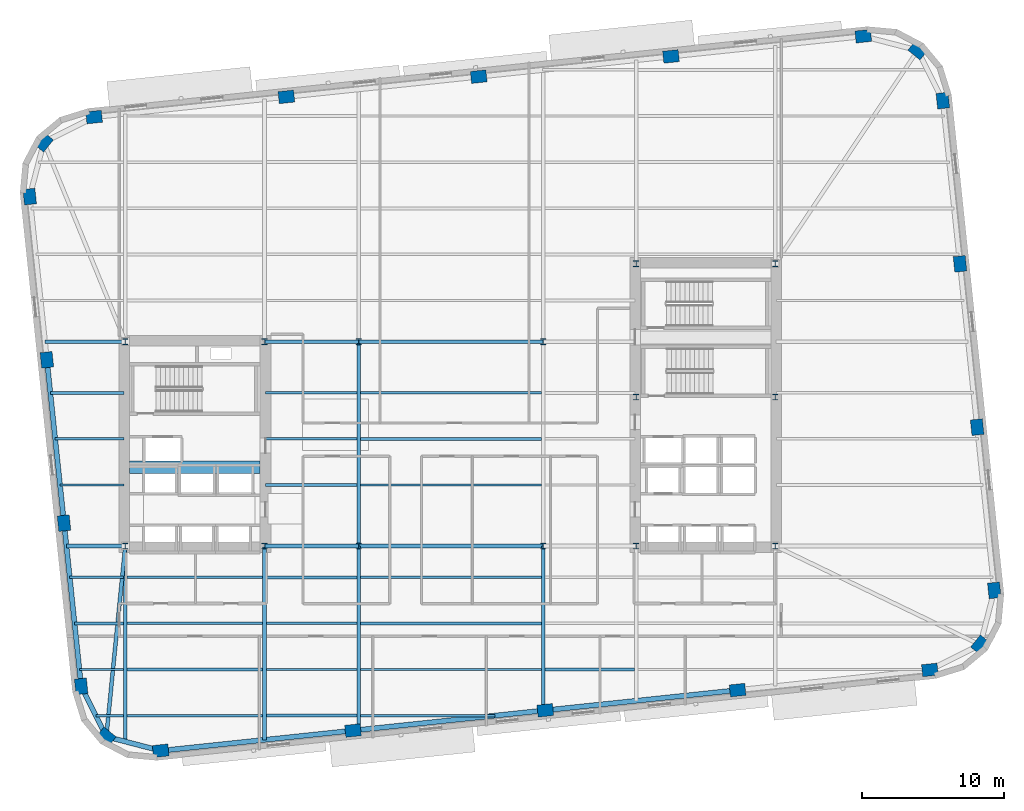
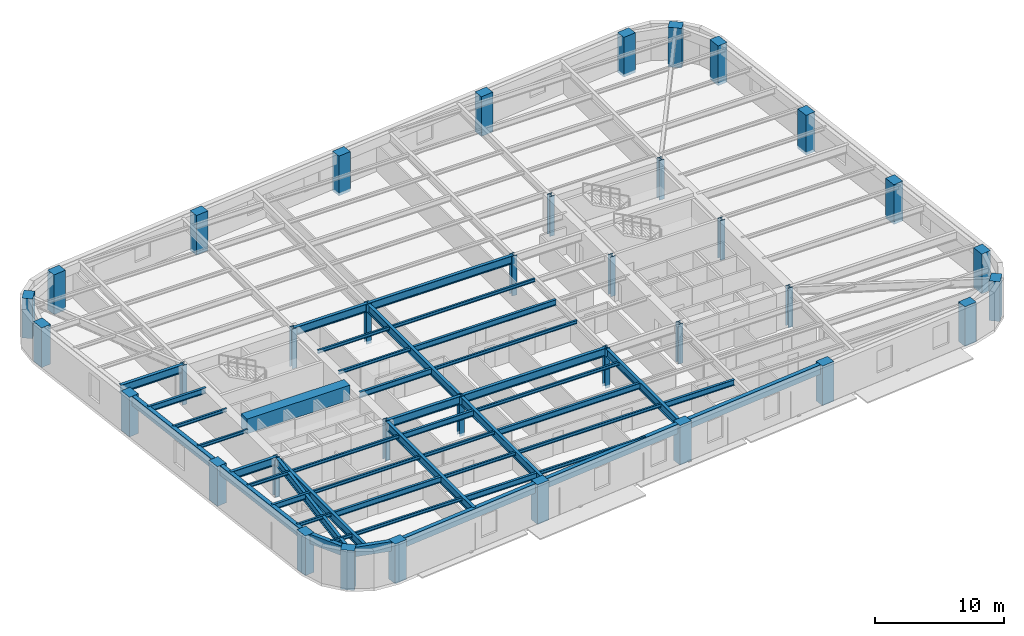
# One storey, part 1 of 11: 46 beams, 36 columns.
"""IFC4 building model written with IfcOpenShell, lengths in metres."""

from ifc_helpers import new_model, si_unit, direction, frame, origin, origin_2d, place, context, subcontext, project, spatial, rectangle, hollow_rectangle, i_section, extrude, material, material_profile, profile_set, type_object, element, save


model = new_model("IFC4")

# Units and contexts
model_context = context("Model", 3, precision=1e-05, world=origin(), true_north=direction((0.0, 1.0)))
body_context = subcontext(model_context, "Body", "Model", "MODEL_VIEW")
ifc_project = project(units=[si_unit("LENGTHUNIT", "METRE"), si_unit("AREAUNIT", "SQUARE_METRE"), si_unit("VOLUMEUNIT", "CUBIC_METRE"), si_unit("PLANEANGLEUNIT", "RADIAN"), si_unit("MASSUNIT", "GRAM", prefix="KILO")], contexts=[model_context])

# Site, building, storey
site_placement = place(None, origin())
site = spatial("IfcSite", under=ifc_project, at=site_placement, CompositionType="ELEMENT")
building_placement = place(site_placement, origin())
building = spatial("IfcBuilding", under=site, at=building_placement, Name="Kolvaren Arena Tower", CompositionType="ELEMENT")
storey_placement = place(building_placement, frame((0.0, 0.0, 103.449951171875)))
storey = spatial("IfcBuildingStorey", under=building, at=storey_placement, Name="L23", CompositionType="ELEMENT", Elevation=103.449951171875)

# Columns
ifc_material_1 = material(Name="Precast concrete C70/85", Category="concrete")
ifc_material_profile_1 = material_profile(ifc_material_1, rectangle(XDim=1.10009765625, YDim=0.85009765625, at=origin_2d()), Name="RC-1100x850")
ifc_profile_set_1 = profile_set([ifc_material_profile_1], Name="Precast concrete C70/85")
column_type_1 = type_object("IfcColumnType", Name="EXCOL-Z2", PredefinedType="COLUMN", material=ifc_profile_set_1)
for number, where, z_axis, x_axis, name in (
    (1, (17.0458984375, 5.024658203125, -0.27001953125), (0.0, 0.0, 1.0), (0.994521895368, 0.104528463268, 0.0), "Exoskeleton Perimeter Column 01 (L23)"),
    (2, (30.59619140625, 6.44873046875, -0.27001953125), (0.0, 0.0, 1.0), (0.994521895368, 0.104528463268, 0.0), "Exoskeleton Perimeter Column 02 (L23)"),
    (3, (44.146728515625, 7.873046875, -0.27001953125), (0.0, 0.0, 1.0), (0.994521895368, 0.104528463268, 0.0), "Exoskeleton Perimeter Column 03 (L23)"),
    (4, (57.697021484375, 9.297119140625, -0.27001953125), (0.0, 0.0, 1.0), (0.994521895368, 0.104528463268, 0.0), "Exoskeleton Perimeter Column 04 (L23)"),
    (5, (71.247314453125, 10.721435546875, -0.27001953125), (0.0, 0.0, 1.0), (0.994521895368, 0.104528463268, 0.0), "Exoskeleton Perimeter Column 05 (L23)"),
    (6, (74.790283203125, 12.49267578125, -0.27001953125), (0.0, 0.0, 1.0), (0.62932039105, 0.777145961457, 0.0), "Exoskeleton Perimeter Column 06 (L23)"),
    (7, (75.786376953125, 16.326416015625, -0.27001953125), (0.0, 0.0, 1.0), (-0.104528463268, 0.994521895368, 0.0), "Exoskeleton Perimeter Column 07 (L23)"),
    (8, (74.577392578125, 27.829833984375, -0.27001953125), (0.0, 0.0, 1.0), (-0.104528463268, 0.994521895368, 0.0), "Exoskeleton Perimeter Column 08 (L23)"),
    (9, (73.368408203125, 39.3330078125, -0.27001953125), (0.0, 0.0, 1.0), (-0.104528463268, 0.994521895368, 0.0), "Exoskeleton Perimeter Column 09 (L23)"),
    (10, (72.1591796875, 50.83642578125, -0.27001953125), (0.0, 0.0, 1.0), (-0.104528463268, 0.994521895368, 0.0), "Exoskeleton Perimeter Column 10 (L23)"),
    (11, (70.387939453125, 54.37939453125, -0.27001953125), (0.0, 0.0, 1.0), (-0.777145961457, 0.62932039105, 0.0), "Exoskeleton Perimeter Column 11 (L23)"),
    (12, (66.55419921875, 55.37548828125, -0.27001953125), (0.0, 0.0, 1.0), (0.994521895368, 0.104528463268, 0.0), "Exoskeleton Perimeter Column 12 (L23)"),
    (13, (53.003662109375, 53.951171875, -0.27001953125), (0.0, 0.0, 1.0), (0.994521895368, 0.104528463268, 0.0), "Exoskeleton Perimeter Column 13 (L23)"),
    (14, (39.453369140625, 52.527099609375, -0.27001953125), (0.0, 0.0, 1.0), (0.994521895368, 0.104528463268, 0.0), "Exoskeleton Perimeter Column 14 (L23)"),
    (15, (25.903076171875, 51.102783203125, -0.27001953125), (0.0, 0.0, 1.0), (0.994521895368, 0.104528463268, 0.0), "Exoskeleton Perimeter Column 15 (L23)"),
    (16, (12.3525390625, 49.6787109375, -0.27001953125), (0.0, 0.0, 1.0), (0.994521895368, 0.104528463268, 0.0), "Exoskeleton Perimeter Column 16 (L23)"),
    (17, (8.8095703125, 47.9072265625, -0.27001953125), (0.0, 0.0, 1.0), (0.62932039105, 0.777145961457, 0.0), "Exoskeleton Perimeter Column 17 (L23)"),
    (18, (7.813720703125, 44.073486328125, -0.27001953125), (0.0, 0.0, 1.0), (-0.104528463268, 0.994521895368, 0.0), "Exoskeleton Perimeter Column 18 (L23)"),
    (19, (9.022705078125, 32.5703125, -0.27001953125), (0.0, 0.0, 1.0), (-0.104528463268, 0.994521895368, 0.0), "Exoskeleton Perimeter Column 19 (L23)"),
    (20, (10.231689453125, 21.06689453125, -0.27001953125), (0.0, 0.0, 1.0), (-0.104528463268, 0.994521895368, 0.0), "Exoskeleton Perimeter Column 20 (L23)"),
    (21, (11.44091796875, 9.5634765625, -0.27001953125), (0.0, 0.0, 1.0), (-0.104528463268, 0.994521895368, 0.0), "Exoskeleton Perimeter Column 21 (L23)"),
    (22, (13.212158203125, 6.0205078125, -0.27001953125), (0.0, 0.0, 1.0), (-0.777145961457, 0.62932039105, 0.0), "Exoskeleton Perimeter Column 22 (L23)"),
):
    element("IfcColumn", number, at=place(storey_placement, frame(where, z_axis=z_axis, x_axis=x_axis)), inside=storey, type_object=column_type_1, Name=name, PredefinedType="COLUMN", context=body_context, shape_type="SweptSolid", body=[
        extrude(rectangle(XDim=1.10009765625, YDim=0.85009765625, at=origin_2d()), origin(), (0.0, 0.0, 1.0), 3.75),
    ])
ifc_material_2 = material(Name="Steel ASTM A913 Grade 65", Category="steel")
ifc_material_profile_2 = material_profile(ifc_material_2, i_section(OverallWidth=0.416015625, OverallDepth=0.446044921875, WebThickness=0.0390625, FlangeThickness=0.062744140625, FilletRadius=0.02001953125, at=origin_2d()), Name="W360x509")
ifc_profile_set_2 = profile_set([ifc_material_profile_2], Name="Steel ASTM A913 Grade 65")
column_type_2 = type_object("IfcColumnType", Name="SCOL-Z2", PredefinedType="COLUMN", material=ifc_profile_set_2)
for number, where, z_axis, x_axis, name in (
    (23, (14.550048828125, 19.449951171875, -0.27001953125), (0.0, 0.0, 1.0), (1.0, 0.0, 0.0), "Core Boundary Column WC-SW (L23)"),
    (24, (24.35009765625, 19.449951171875, -0.27001953125), (0.0, 0.0, 1.0), (1.0, 0.0, 0.0), "Core Boundary Column WC-SE (L23)"),
    (25, (14.550048828125, 33.85009765625, -0.27001953125), (0.0, 0.0, 1.0), (1.0, 0.0, 0.0), "Core Boundary Column WC-NW (L23)"),
    (26, (24.35009765625, 33.85009765625, -0.27001953125), (0.0, 0.0, 1.0), (1.0, 0.0, 0.0), "Core Boundary Column WC-NE (L23)"),
    (27, (50.550048828125, 19.449951171875, -0.27001953125), (0.0, 0.0, 1.0), (1.0, 0.0, 0.0), "Core Boundary Column EC-SW (L23)"),
    (28, (60.35009765625, 19.449951171875, -0.27001953125), (0.0, 0.0, 1.0), (1.0, 0.0, 0.0), "Core Boundary Column EC-SE (L23)"),
    (29, (50.550048828125, 29.949951171875, -0.27001953125), (0.0, 0.0, 1.0), (1.0, 0.0, 0.0), "Core Boundary Column EC-MW (L23)"),
    (30, (60.35009765625, 29.949951171875, -0.27001953125), (0.0, 0.0, 1.0), (1.0, 0.0, 0.0), "Core Boundary Column EC-ME (L23)"),
    (31, (50.550048828125, 39.35009765625, -0.27001953125), (0.0, 0.0, 1.0), (1.0, 0.0, 0.0), "Core Boundary Column EC-NW (L23)"),
    (32, (60.35009765625, 39.35009765625, -0.27001953125), (0.0, 0.0, 1.0), (1.0, 0.0, 0.0), "Core Boundary Column EC-NE (L23)"),
    (33, (31.0, 19.449951171875, -0.27001953125), (0.0, 0.0, 1.0), (1.0, 0.0, 0.0), "Interior Gravity Column TC-SW (L23)"),
    (34, (44.0, 19.449951171875, -0.27001953125), (0.0, 0.0, 1.0), (1.0, 0.0, 0.0), "Interior Gravity Column TC-SE (L23)"),
    (35, (31.0, 33.85009765625, -0.27001953125), (0.0, 0.0, 1.0), (1.0, 0.0, 0.0), "Interior Gravity Column TC-NW (L23)"),
    (36, (44.0, 33.85009765625, -0.27001953125), (0.0, 0.0, 1.0), (1.0, 0.0, 0.0), "Interior Gravity Column TC-NE (L23)"),
):
    element("IfcColumn", number, at=place(storey_placement, frame(where, z_axis=z_axis, x_axis=x_axis)), inside=storey, type_object=column_type_2, Name=name, PredefinedType="COLUMN", context=body_context, shape_type="SweptSolid", body=[
        extrude(i_section(OverallWidth=0.416015625, OverallDepth=0.446044921875, WebThickness=0.0390625, FlangeThickness=0.062744140625, FilletRadius=0.02001953125, at=origin_2d()), origin(), (0.0, 0.0, 1.0), 3.75),
    ])

# Beams
ifc_material_3 = material(Name="Steel CSA G40.21 350W", Category="steel")
ifc_material_profile_3 = material_profile(ifc_material_3, i_section(OverallWidth=0.2119140625, OverallDepth=0.54296875, WebThickness=0.01318359375, FlangeThickness=0.0244140625, FilletRadius=0.013916015625, at=origin_2d()), Name="W530x150")
ifc_profile_set_3 = profile_set([ifc_material_profile_3], Name="Steel CSA G40.21 350W")
beam_type_1 = type_object("IfcBeamType", Name="BEAM-F1", PredefinedType="BEAM", material=ifc_profile_set_3)
beam_1_placement = place(storey_placement, frame((24.485107421875, 7.5, 3.20849609375), z_axis=(1.0, 0.0, 0.0), x_axis=(0.0, 1.0, 0.0)))
element("IfcBeam", 37, at=beam_1_placement, inside=storey, type_object=beam_type_1, Name="Composite Floor Beam (L23)", PredefinedType="BEAM", context=body_context, shape_type="SweptSolid", body=[
    extrude(i_section(OverallWidth=0.2119140625, OverallDepth=0.54296875, WebThickness=0.01318359375, FlangeThickness=0.0244140625, FilletRadius=0.013916015625, at=origin_2d()), origin(), (0.0, 0.0, 1.0), 6.3798828125),
])
beam_2_placement = place(storey_placement, frame((14.68505859375, 10.75, 3.20849609375), z_axis=(1.0, 0.0, 0.0), x_axis=(0.0, 1.0, 0.0)))
element("IfcBeam", 38, at=beam_2_placement, inside=storey, type_object=beam_type_1, Name="Composite Floor Beam (L23)", PredefinedType="BEAM", context=body_context, shape_type="SweptSolid", body=[
    extrude(i_section(OverallWidth=0.2119140625, OverallDepth=0.54296875, WebThickness=0.01318359375, FlangeThickness=0.0244140625, FilletRadius=0.013916015625, at=origin_2d()), origin(), (0.0, 0.0, 1.0), 9.530029296875),
])
beam_3_placement = place(storey_placement, frame((44.135009765625, 10.75, 3.20849609375), z_axis=(1.0, 0.0, 0.0), x_axis=(0.0, 1.0, 0.0)))
element("IfcBeam", 39, at=beam_3_placement, inside=storey, type_object=beam_type_1, Name="Composite Floor Beam (L23)", PredefinedType="BEAM", context=body_context, shape_type="SweptSolid", body=[
    extrude(i_section(OverallWidth=0.2119140625, OverallDepth=0.54296875, WebThickness=0.01318359375, FlangeThickness=0.0244140625, FilletRadius=0.013916015625, at=origin_2d()), origin(), (0.0, 0.0, 1.0), 6.280029296875),
])
beam_4_placement = place(storey_placement, frame((10.974609375, 14.0, 3.20849609375), z_axis=(1.0, 0.0, 0.0), x_axis=(0.0, 1.0, 0.0)))
element("IfcBeam", 40, at=beam_4_placement, inside=storey, type_object=beam_type_1, Name="Composite Floor Beam (L23)", PredefinedType="BEAM", context=body_context, shape_type="SweptSolid", body=[
    extrude(i_section(OverallWidth=0.2119140625, OverallDepth=0.54296875, WebThickness=0.01318359375, FlangeThickness=0.0244140625, FilletRadius=0.013916015625, at=origin_2d()), origin(), (0.0, 0.0, 1.0), 3.4404296875),
])
beam_5_placement = place(storey_placement, frame((31.135009765625, 14.0, 3.20849609375), z_axis=(1.0, 0.0, 0.0), x_axis=(0.0, 1.0, 0.0)))
element("IfcBeam", 41, at=beam_5_placement, inside=storey, type_object=beam_type_1, Name="Composite Floor Beam (L23)", PredefinedType="BEAM", context=body_context, shape_type="SweptSolid", body=[
    extrude(i_section(OverallWidth=0.2119140625, OverallDepth=0.54296875, WebThickness=0.01318359375, FlangeThickness=0.0244140625, FilletRadius=0.013916015625, at=origin_2d()), origin(), (0.0, 0.0, 1.0), 12.72998046875),
])
beam_6_placement = place(storey_placement, frame((24.485107421875, 17.25, 3.20849609375), z_axis=(1.0, 0.0, 0.0), x_axis=(0.0, 1.0, 0.0)))
element("IfcBeam", 42, at=beam_6_placement, inside=storey, type_object=beam_type_1, Name="Composite Floor Beam (L23)", PredefinedType="BEAM", context=body_context, shape_type="SweptSolid", body=[
    extrude(i_section(OverallWidth=0.2119140625, OverallDepth=0.54296875, WebThickness=0.01318359375, FlangeThickness=0.0244140625, FilletRadius=0.013916015625, at=origin_2d()), origin(), (0.0, 0.0, 1.0), 6.3798828125),
])
beam_7_placement = place(storey_placement, frame((24.445068359375, 23.75, 3.20849609375), z_axis=(1.0, 0.0, 0.0), x_axis=(0.0, 1.0, 0.0)))
element("IfcBeam", 43, at=beam_7_placement, inside=storey, type_object=beam_type_1, Name="Composite Floor Beam (L23)", PredefinedType="BEAM", context=body_context, shape_type="SweptSolid", body=[
    extrude(i_section(OverallWidth=0.2119140625, OverallDepth=0.54296875, WebThickness=0.01318359375, FlangeThickness=0.0244140625, FilletRadius=0.013916015625, at=origin_2d()), origin(), (0.0, 0.0, 1.0), 6.419921875),
])
beam_8_placement = place(storey_placement, frame((31.135009765625, 27.0, 3.20849609375), z_axis=(1.0, 0.0, 0.0), x_axis=(0.0, 1.0, 0.0)))
element("IfcBeam", 44, at=beam_8_placement, inside=storey, type_object=beam_type_1, Name="Composite Floor Beam (L23)", PredefinedType="BEAM", context=body_context, shape_type="SweptSolid", body=[
    extrude(i_section(OverallWidth=0.2119140625, OverallDepth=0.54296875, WebThickness=0.01318359375, FlangeThickness=0.0244140625, FilletRadius=0.013916015625, at=origin_2d()), origin(), (0.0, 0.0, 1.0), 12.72998046875),
])
beam_9_placement = place(storey_placement, frame((9.2666015625, 30.25, 3.20849609375), z_axis=(1.0, 0.0, 0.0), x_axis=(0.0, 1.0, 0.0)))
element("IfcBeam", 45, at=beam_9_placement, inside=storey, type_object=beam_type_1, Name="Composite Floor Beam (L23)", PredefinedType="BEAM", context=body_context, shape_type="SweptSolid", body=[
    extrude(i_section(OverallWidth=0.2119140625, OverallDepth=0.54296875, WebThickness=0.01318359375, FlangeThickness=0.0244140625, FilletRadius=0.013916015625, at=origin_2d()), origin(), (0.0, 0.0, 1.0), 5.1884765625),
])
ifc_material_4 = material(Name="Concrete 75 MPa", Category="concrete")
ifc_material_profile_4 = material_profile(ifc_material_4, rectangle(XDim=0.89990234375, YDim=1.39990234375, at=origin_2d()), Name="RC-900x1400")
ifc_profile_set_4 = profile_set([ifc_material_profile_4], Name="Concrete 75 MPa")
beam_type_2 = type_object("IfcBeamType", Name="CB-CORE-1", PredefinedType="BEAM", material=ifc_profile_set_4)
beam_10_placement = place(storey_placement, frame((14.85009765625, 25.0, 3.050048828125), z_axis=(1.0, 0.0, 0.0), x_axis=(0.0, 1.0, 0.0)))
element("IfcBeam", 46, at=beam_10_placement, inside=storey, type_object=beam_type_2, Name="West Core Coupling Beam (L23)", PredefinedType="BEAM", context=body_context, shape_type="SweptSolid", body=[
    extrude(rectangle(XDim=0.89990234375, YDim=1.39990234375, at=origin_2d()), origin(), (0.0, 0.0, 1.0), 9.199951171875),
])
ifc_material_profile_5 = material_profile(ifc_material_3, i_section(OverallWidth=0.27001953125, OverallDepth=0.77294921875, WebThickness=0.019287109375, FlangeThickness=0.033447265625, FilletRadius=0.01806640625, at=origin_2d()), Name="W760x257")
ifc_profile_set_5 = profile_set([ifc_material_profile_5], Name="Steel CSA G40.21 350W")
beam_type_3 = type_object("IfcBeamType", Name="GIRD-T1", PredefinedType="BEAM", material=ifc_profile_set_5)
beam_11_placement = place(storey_placement, frame((13.212158203125, 6.0205078125, 3.093505859375), z_axis=(0.099132957575, 0.995074196592, 0.0), x_axis=(-0.995074196592, 0.099132957575, 0.0)))
element("IfcBeam", 47, at=beam_11_placement, inside=storey, type_object=beam_type_3, Name="Corner Diagonal Tie Girder (L23)", PredefinedType="BEAM", context=body_context, shape_type="SweptSolid", body=[
    extrude(i_section(OverallWidth=0.27001953125, OverallDepth=0.77294921875, WebThickness=0.019287109375, FlangeThickness=0.033447265625, FilletRadius=0.01806640625, at=origin_2d()), origin(), (0.0, 0.0, 1.0), 13.495849609375),
])
beam_12_placement = place(storey_placement, frame((10.401611328125, 19.449951171875, 3.093505859375), z_axis=(1.0, 0.0, 0.0), x_axis=(0.0, 1.0, 0.0)))
element("IfcBeam", 48, at=beam_12_placement, inside=storey, type_object=beam_type_3, Name="Primary Floor Girder (L23)", PredefinedType="BEAM", context=body_context, shape_type="SweptSolid", body=[
    extrude(i_section(OverallWidth=0.27001953125, OverallDepth=0.77294921875, WebThickness=0.019287109375, FlangeThickness=0.033447265625, FilletRadius=0.01806640625, at=origin_2d()), origin(), (0.0, 0.0, 1.0), 4.093505859375),
])
beam_13_placement = place(storey_placement, frame((24.405029296875, 19.449951171875, 3.093505859375), z_axis=(1.0, 0.0, 0.0), x_axis=(0.0, 1.0, 0.0)))
element("IfcBeam", 49, at=beam_13_placement, inside=storey, type_object=beam_type_3, Name="Primary Floor Girder (L23)", PredefinedType="BEAM", context=body_context, shape_type="SweptSolid", body=[
    extrude(i_section(OverallWidth=0.27001953125, OverallDepth=0.77294921875, WebThickness=0.019287109375, FlangeThickness=0.033447265625, FilletRadius=0.01806640625, at=origin_2d()), origin(), (0.0, 0.0, 1.0), 6.594970703125),
])
beam_14_placement = place(storey_placement, frame((31.0, 19.449951171875, 3.093505859375), z_axis=(1.0, 0.0, 0.0), x_axis=(0.0, 1.0, 0.0)))
element("IfcBeam", 50, at=beam_14_placement, inside=storey, type_object=beam_type_3, Name="Primary Floor Girder (L23)", PredefinedType="BEAM", context=body_context, shape_type="SweptSolid", body=[
    extrude(i_section(OverallWidth=0.27001953125, OverallDepth=0.77294921875, WebThickness=0.019287109375, FlangeThickness=0.033447265625, FilletRadius=0.01806640625, at=origin_2d()), origin(), (0.0, 0.0, 1.0), 13.0),
])
beam_15_placement = place(storey_placement, frame((8.88818359375, 33.85009765625, 3.093505859375), z_axis=(1.0, 0.0, 0.0), x_axis=(0.0, 1.0, 0.0)))
element("IfcBeam", 51, at=beam_15_placement, inside=storey, type_object=beam_type_3, Name="Primary Floor Girder (L23)", PredefinedType="BEAM", context=body_context, shape_type="SweptSolid", body=[
    extrude(i_section(OverallWidth=0.27001953125, OverallDepth=0.77294921875, WebThickness=0.019287109375, FlangeThickness=0.033447265625, FilletRadius=0.01806640625, at=origin_2d()), origin(), (0.0, 0.0, 1.0), 5.60693359375),
])
beam_16_placement = place(storey_placement, frame((24.405029296875, 33.85009765625, 3.093505859375), z_axis=(1.0, 0.0, 0.0), x_axis=(0.0, 1.0, 0.0)))
element("IfcBeam", 52, at=beam_16_placement, inside=storey, type_object=beam_type_3, Name="Primary Floor Girder (L23)", PredefinedType="BEAM", context=body_context, shape_type="SweptSolid", body=[
    extrude(i_section(OverallWidth=0.27001953125, OverallDepth=0.77294921875, WebThickness=0.019287109375, FlangeThickness=0.033447265625, FilletRadius=0.01806640625, at=origin_2d()), origin(), (0.0, 0.0, 1.0), 6.594970703125),
])
beam_17_placement = place(storey_placement, frame((31.0, 33.85009765625, 3.093505859375), z_axis=(1.0, 0.0, 0.0), x_axis=(0.0, 1.0, 0.0)))
element("IfcBeam", 53, at=beam_17_placement, inside=storey, type_object=beam_type_3, Name="Primary Floor Girder (L23)", PredefinedType="BEAM", context=body_context, shape_type="SweptSolid", body=[
    extrude(i_section(OverallWidth=0.27001953125, OverallDepth=0.77294921875, WebThickness=0.019287109375, FlangeThickness=0.033447265625, FilletRadius=0.01806640625, at=origin_2d()), origin(), (0.0, 0.0, 1.0), 13.0),
])
beam_18_placement = place(storey_placement, frame((14.550048828125, 5.673095703125, 3.093505859375), z_axis=(0.0, 1.0, 0.0), x_axis=(-1.0, 0.0, 0.0)))
element("IfcBeam", 54, at=beam_18_placement, inside=storey, type_object=beam_type_3, Name="Primary Floor Girder (L23)", PredefinedType="BEAM", context=body_context, shape_type="SweptSolid", body=[
    extrude(i_section(OverallWidth=0.27001953125, OverallDepth=0.77294921875, WebThickness=0.019287109375, FlangeThickness=0.033447265625, FilletRadius=0.01806640625, at=origin_2d()), origin(), (0.0, 0.0, 1.0), 13.721923828125),
])
beam_19_placement = place(storey_placement, frame((24.35009765625, 5.792236328125, 3.093505859375), z_axis=(0.0, 1.0, 0.0), x_axis=(-1.0, 0.0, 0.0)))
element("IfcBeam", 55, at=beam_19_placement, inside=storey, type_object=beam_type_3, Name="Primary Floor Girder (L23)", PredefinedType="BEAM", context=body_context, shape_type="SweptSolid", body=[
    extrude(i_section(OverallWidth=0.27001953125, OverallDepth=0.77294921875, WebThickness=0.019287109375, FlangeThickness=0.033447265625, FilletRadius=0.01806640625, at=origin_2d()), origin(), (0.0, 0.0, 1.0), 13.602783203125),
])
beam_20_placement = place(storey_placement, frame((31.0, 6.4912109375, 3.093505859375), z_axis=(0.0, 1.0, 0.0), x_axis=(-1.0, 0.0, 0.0)))
element("IfcBeam", 56, at=beam_20_placement, inside=storey, type_object=beam_type_3, Name="Primary Floor Girder (L23)", PredefinedType="BEAM", context=body_context, shape_type="SweptSolid", body=[
    extrude(i_section(OverallWidth=0.27001953125, OverallDepth=0.77294921875, WebThickness=0.019287109375, FlangeThickness=0.033447265625, FilletRadius=0.01806640625, at=origin_2d()), origin(), (0.0, 0.0, 1.0), 12.958740234375),
])
beam_21_placement = place(storey_placement, frame((31.0, 19.449951171875, 3.093505859375), z_axis=(0.0, 1.0, 0.0), x_axis=(-1.0, 0.0, 0.0)))
element("IfcBeam", 57, at=beam_21_placement, inside=storey, type_object=beam_type_3, Name="Primary Floor Girder (L23)", PredefinedType="BEAM", context=body_context, shape_type="SweptSolid", body=[
    extrude(i_section(OverallWidth=0.27001953125, OverallDepth=0.77294921875, WebThickness=0.019287109375, FlangeThickness=0.033447265625, FilletRadius=0.01806640625, at=origin_2d()), origin(), (0.0, 0.0, 1.0), 14.400146484375),
])
beam_22_placement = place(storey_placement, frame((44.0, 7.857666015625, 3.093505859375), z_axis=(0.0, 1.0, 0.0), x_axis=(-1.0, 0.0, 0.0)))
element("IfcBeam", 58, at=beam_22_placement, inside=storey, type_object=beam_type_3, Name="Primary Floor Girder (L23)", PredefinedType="BEAM", context=body_context, shape_type="SweptSolid", body=[
    extrude(i_section(OverallWidth=0.27001953125, OverallDepth=0.77294921875, WebThickness=0.019287109375, FlangeThickness=0.033447265625, FilletRadius=0.01806640625, at=origin_2d()), origin(), (0.0, 0.0, 1.0), 11.59228515625),
])
ifc_material_profile_6 = material_profile(ifc_material_3, i_section(OverallWidth=0.1669921875, OverallDepth=0.31689453125, WebThickness=0.007568359375, FlangeThickness=0.01318359375, FilletRadius=0.010009765625, at=origin_2d()), Name="W310x52")
ifc_profile_set_6 = profile_set([ifc_material_profile_6], Name="Steel CSA G40.21 350W")
beam_type_4 = type_object("IfcBeamType", Name="JOIST-02", PredefinedType="JOIST", material=ifc_profile_set_6)
beam_23_placement = place(storey_placement, frame((12.472412109375, 7.5, 3.321533203125), z_axis=(1.0, 0.0, 0.0), x_axis=(0.0, 1.0, 0.0)))
element("IfcBeam", 59, at=beam_23_placement, inside=storey, type_object=beam_type_4, Name="Composite Floor Joist (L23)", PredefinedType="JOIST", context=body_context, shape_type="SweptSolid", body=[
    extrude(i_section(OverallWidth=0.1669921875, OverallDepth=0.31689453125, WebThickness=0.007568359375, FlangeThickness=0.01318359375, FilletRadius=0.010009765625, at=origin_2d()), origin(), (0.0, 0.0, 1.0), 1.942626953125),
])
beam_24_placement = place(storey_placement, frame((14.68505859375, 7.5, 3.321533203125), z_axis=(1.0, 0.0, 0.0), x_axis=(0.0, 1.0, 0.0)))
element("IfcBeam", 60, at=beam_24_placement, inside=storey, type_object=beam_type_4, Name="Composite Floor Joist (L23)", PredefinedType="JOIST", context=body_context, shape_type="SweptSolid", body=[
    extrude(i_section(OverallWidth=0.1669921875, OverallDepth=0.31689453125, WebThickness=0.007568359375, FlangeThickness=0.01318359375, FilletRadius=0.010009765625, at=origin_2d()), origin(), (0.0, 0.0, 1.0), 9.530029296875),
])
beam_25_placement = place(storey_placement, frame((31.135009765625, 7.5, 3.321533203125), z_axis=(1.0, 0.0, 0.0), x_axis=(0.0, 1.0, 0.0)))
element("IfcBeam", 61, at=beam_25_placement, inside=storey, type_object=beam_type_4, Name="Composite Floor Joist (L23)", PredefinedType="JOIST", context=body_context, shape_type="SweptSolid", body=[
    extrude(i_section(OverallWidth=0.1669921875, OverallDepth=0.31689453125, WebThickness=0.007568359375, FlangeThickness=0.01318359375, FilletRadius=0.010009765625, at=origin_2d()), origin(), (0.0, 0.0, 1.0), 9.462890625),
])
beam_26_placement = place(storey_placement, frame((11.316162109375, 10.75, 3.321533203125), z_axis=(1.0, 0.0, 0.0), x_axis=(0.0, 1.0, 0.0)))
element("IfcBeam", 62, at=beam_26_placement, inside=storey, type_object=beam_type_4, Name="Composite Floor Joist (L23)", PredefinedType="JOIST", context=body_context, shape_type="SweptSolid", body=[
    extrude(i_section(OverallWidth=0.1669921875, OverallDepth=0.31689453125, WebThickness=0.007568359375, FlangeThickness=0.01318359375, FilletRadius=0.010009765625, at=origin_2d()), origin(), (0.0, 0.0, 1.0), 3.098876953125),
])
beam_27_placement = place(storey_placement, frame((24.485107421875, 10.75, 3.321533203125), z_axis=(1.0, 0.0, 0.0), x_axis=(0.0, 1.0, 0.0)))
element("IfcBeam", 63, at=beam_27_placement, inside=storey, type_object=beam_type_4, Name="Composite Floor Joist (L23)", PredefinedType="JOIST", context=body_context, shape_type="SweptSolid", body=[
    extrude(i_section(OverallWidth=0.1669921875, OverallDepth=0.31689453125, WebThickness=0.007568359375, FlangeThickness=0.01318359375, FilletRadius=0.010009765625, at=origin_2d()), origin(), (0.0, 0.0, 1.0), 6.3798828125),
])
beam_28_placement = place(storey_placement, frame((31.135009765625, 10.75, 3.321533203125), z_axis=(1.0, 0.0, 0.0), x_axis=(0.0, 1.0, 0.0)))
element("IfcBeam", 64, at=beam_28_placement, inside=storey, type_object=beam_type_4, Name="Composite Floor Joist (L23)", PredefinedType="JOIST", context=body_context, shape_type="SweptSolid", body=[
    extrude(i_section(OverallWidth=0.1669921875, OverallDepth=0.31689453125, WebThickness=0.007568359375, FlangeThickness=0.01318359375, FilletRadius=0.010009765625, at=origin_2d()), origin(), (0.0, 0.0, 1.0), 12.72998046875),
])
beam_29_placement = place(storey_placement, frame((14.68505859375, 14.0, 3.321533203125), z_axis=(1.0, 0.0, 0.0), x_axis=(0.0, 1.0, 0.0)))
element("IfcBeam", 65, at=beam_29_placement, inside=storey, type_object=beam_type_4, Name="Composite Floor Joist (L23)", PredefinedType="JOIST", context=body_context, shape_type="SweptSolid", body=[
    extrude(i_section(OverallWidth=0.1669921875, OverallDepth=0.31689453125, WebThickness=0.007568359375, FlangeThickness=0.01318359375, FilletRadius=0.010009765625, at=origin_2d()), origin(), (0.0, 0.0, 1.0), 9.530029296875),
])
beam_30_placement = place(storey_placement, frame((24.485107421875, 14.0, 3.321533203125), z_axis=(1.0, 0.0, 0.0), x_axis=(0.0, 1.0, 0.0)))
element("IfcBeam", 66, at=beam_30_placement, inside=storey, type_object=beam_type_4, Name="Composite Floor Joist (L23)", PredefinedType="JOIST", context=body_context, shape_type="SweptSolid", body=[
    extrude(i_section(OverallWidth=0.1669921875, OverallDepth=0.31689453125, WebThickness=0.007568359375, FlangeThickness=0.01318359375, FilletRadius=0.010009765625, at=origin_2d()), origin(), (0.0, 0.0, 1.0), 6.3798828125),
])
beam_31_placement = place(storey_placement, frame((10.6328125, 17.25, 3.321533203125), z_axis=(1.0, 0.0, 0.0), x_axis=(0.0, 1.0, 0.0)))
element("IfcBeam", 67, at=beam_31_placement, inside=storey, type_object=beam_type_4, Name="Composite Floor Joist (L23)", PredefinedType="JOIST", context=body_context, shape_type="SweptSolid", body=[
    extrude(i_section(OverallWidth=0.1669921875, OverallDepth=0.31689453125, WebThickness=0.007568359375, FlangeThickness=0.01318359375, FilletRadius=0.010009765625, at=origin_2d()), origin(), (0.0, 0.0, 1.0), 3.7822265625),
])
beam_32_placement = place(storey_placement, frame((14.68505859375, 17.25, 3.321533203125), z_axis=(1.0, 0.0, 0.0), x_axis=(0.0, 1.0, 0.0)))
element("IfcBeam", 68, at=beam_32_placement, inside=storey, type_object=beam_type_4, Name="Composite Floor Joist (L23)", PredefinedType="JOIST", context=body_context, shape_type="SweptSolid", body=[
    extrude(i_section(OverallWidth=0.1669921875, OverallDepth=0.31689453125, WebThickness=0.007568359375, FlangeThickness=0.01318359375, FilletRadius=0.010009765625, at=origin_2d()), origin(), (0.0, 0.0, 1.0), 9.530029296875),
])
beam_33_placement = place(storey_placement, frame((31.135009765625, 17.25, 3.321533203125), z_axis=(1.0, 0.0, 0.0), x_axis=(0.0, 1.0, 0.0)))
element("IfcBeam", 69, at=beam_33_placement, inside=storey, type_object=beam_type_4, Name="Composite Floor Joist (L23)", PredefinedType="JOIST", context=body_context, shape_type="SweptSolid", body=[
    extrude(i_section(OverallWidth=0.1669921875, OverallDepth=0.31689453125, WebThickness=0.007568359375, FlangeThickness=0.01318359375, FilletRadius=0.010009765625, at=origin_2d()), origin(), (0.0, 0.0, 1.0), 12.72998046875),
])
beam_34_placement = place(storey_placement, frame((9.94970703125, 23.75, 3.321533203125), z_axis=(1.0, 0.0, 0.0), x_axis=(0.0, 1.0, 0.0)))
element("IfcBeam", 70, at=beam_34_placement, inside=storey, type_object=beam_type_4, Name="Composite Floor Joist (L23)", PredefinedType="JOIST", context=body_context, shape_type="SweptSolid", body=[
    extrude(i_section(OverallWidth=0.1669921875, OverallDepth=0.31689453125, WebThickness=0.007568359375, FlangeThickness=0.01318359375, FilletRadius=0.010009765625, at=origin_2d()), origin(), (0.0, 0.0, 1.0), 4.50537109375),
])
beam_35_placement = place(storey_placement, frame((31.135009765625, 23.75, 3.321533203125), z_axis=(1.0, 0.0, 0.0), x_axis=(0.0, 1.0, 0.0)))
element("IfcBeam", 71, at=beam_35_placement, inside=storey, type_object=beam_type_4, Name="Composite Floor Joist (L23)", PredefinedType="JOIST", context=body_context, shape_type="SweptSolid", body=[
    extrude(i_section(OverallWidth=0.1669921875, OverallDepth=0.31689453125, WebThickness=0.007568359375, FlangeThickness=0.01318359375, FilletRadius=0.010009765625, at=origin_2d()), origin(), (0.0, 0.0, 1.0), 12.72998046875),
])
beam_36_placement = place(storey_placement, frame((9.608154296875, 27.0, 3.321533203125), z_axis=(1.0, 0.0, 0.0), x_axis=(0.0, 1.0, 0.0)))
element("IfcBeam", 72, at=beam_36_placement, inside=storey, type_object=beam_type_4, Name="Composite Floor Joist (L23)", PredefinedType="JOIST", context=body_context, shape_type="SweptSolid", body=[
    extrude(i_section(OverallWidth=0.1669921875, OverallDepth=0.31689453125, WebThickness=0.007568359375, FlangeThickness=0.01318359375, FilletRadius=0.010009765625, at=origin_2d()), origin(), (0.0, 0.0, 1.0), 4.846923828125),
])
for number, where, z_axis, x_axis, name in (
    (73, (24.445068359375, 27.0, 3.321533203125), (1.0, 0.0, 0.0), (0.0, 1.0, 0.0), "Composite Floor Joist (L23)"),
    (74, (24.445068359375, 30.25, 3.321533203125), (1.0, 0.0, 0.0), (0.0, 1.0, 0.0), "Composite Floor Joist (L23)"),
):
    element("IfcBeam", number, at=place(storey_placement, frame(where, z_axis=z_axis, x_axis=x_axis)), inside=storey, type_object=beam_type_4, Name=name, PredefinedType="JOIST", context=body_context, shape_type="SweptSolid", body=[
        extrude(i_section(OverallWidth=0.1669921875, OverallDepth=0.31689453125, WebThickness=0.007568359375, FlangeThickness=0.01318359375, FilletRadius=0.010009765625, at=origin_2d()), origin(), (0.0, 0.0, 1.0), 6.419921875),
    ])
beam_37_placement = place(storey_placement, frame((31.135009765625, 30.25, 3.321533203125), z_axis=(1.0, 0.0, 0.0), x_axis=(0.0, 1.0, 0.0)))
element("IfcBeam", 75, at=beam_37_placement, inside=storey, type_object=beam_type_4, Name="Composite Floor Joist (L23)", PredefinedType="JOIST", context=body_context, shape_type="SweptSolid", body=[
    extrude(i_section(OverallWidth=0.1669921875, OverallDepth=0.31689453125, WebThickness=0.007568359375, FlangeThickness=0.01318359375, FilletRadius=0.010009765625, at=origin_2d()), origin(), (0.0, 0.0, 1.0), 12.72998046875),
])
ifc_material_5 = material(Name="Steel CSA G40.21 350WT", Category="steel")
ifc_material_profile_7 = material_profile(ifc_material_5, hollow_rectangle(XDim=0.35009765625, YDim=0.89990234375, WallThickness=0.02001953125, at=origin_2d()), Name="HSS 900x350x20")
ifc_profile_set_7 = profile_set([ifc_material_profile_7], Name="Steel CSA G40.21 350WT")
beam_type_5 = type_object("IfcBeamType", Name="SPAND-01", PredefinedType="SPANDREL", material=ifc_profile_set_7)
beam_38_placement = place(storey_placement, frame((17.0458984375, 5.024658203125, 3.030029296875), z_axis=(0.994522817887, 0.104519685718, 0.0), x_axis=(-0.104519685718, 0.994522817887, 0.0)))
element("IfcBeam", 76, at=beam_38_placement, inside=storey, type_object=beam_type_5, Name="Perimeter Spandrel Beam (L23)", PredefinedType="SPANDREL", context=body_context, shape_type="SweptSolid", body=[
    extrude(hollow_rectangle(XDim=0.35009765625, YDim=0.89990234375, WallThickness=0.02001953125, at=origin_2d()), origin(), (0.0, 0.0, 1.0), 13.625),
])
beam_39_placement = place(storey_placement, frame((30.59619140625, 6.44873046875, 3.030029296875), z_axis=(0.994521150946, 0.104535545729, 0.0), x_axis=(-0.104535545729, 0.994521150946, 0.0)))
element("IfcBeam", 77, at=beam_39_placement, inside=storey, type_object=beam_type_5, Name="Perimeter Spandrel Beam (L23)", PredefinedType="SPANDREL", context=body_context, shape_type="SweptSolid", body=[
    extrude(hollow_rectangle(XDim=0.35009765625, YDim=0.89990234375, WallThickness=0.02001953125, at=origin_2d()), origin(), (0.0, 0.0, 1.0), 13.625244140625),
])
beam_40_placement = place(storey_placement, frame((44.146728515625, 7.873046875, 3.030029296875), z_axis=(0.994522817887, 0.104519685718, 0.0), x_axis=(-0.104519685718, 0.994522817887, 0.0)))
element("IfcBeam", 78, at=beam_40_placement, inside=storey, type_object=beam_type_5, Name="Perimeter Spandrel Beam (L23)", PredefinedType="SPANDREL", context=body_context, shape_type="SweptSolid", body=[
    extrude(hollow_rectangle(XDim=0.35009765625, YDim=0.89990234375, WallThickness=0.02001953125, at=origin_2d()), origin(), (0.0, 0.0, 1.0), 13.625),
])
for number, where, z_axis, x_axis, name in (
    (79, (9.022705078125, 32.5703125, 3.030029296875), (0.104522171998, -0.994522556587, 0.0), (0.994522556587, 0.104522171998, 0.0), "Perimeter Spandrel Beam (L23)"),
    (80, (10.231689453125, 21.06689453125, 3.030029296875), (0.104543048399, -0.994520362301, 0.0), (0.994520362301, 0.104543048399, 0.0), "Perimeter Spandrel Beam (L23)"),
):
    element("IfcBeam", number, at=place(storey_placement, frame(where, z_axis=z_axis, x_axis=x_axis)), inside=storey, type_object=beam_type_5, Name=name, PredefinedType="SPANDREL", context=body_context, shape_type="SweptSolid", body=[
        extrude(hollow_rectangle(XDim=0.35009765625, YDim=0.89990234375, WallThickness=0.02001953125, at=origin_2d()), origin(), (0.0, 0.0, 1.0), 11.56689453125),
    ])
for number, where, z_axis, x_axis, name in (
    (81, (11.44091796875, 9.5634765625, 3.030029296875), (0.44716428656, -0.894451843771, 0.0), (0.894451843771, 0.44716428656, 0.0), "Perimeter Spandrel Beam (L23)"),
    (82, (13.212158203125, 6.0205078125, 3.030029296875), (0.96787922294, -0.25141561169, 0.0), (0.25141561169, 0.96787922294, 0.0), "Perimeter Spandrel Beam (L23)"),
):
    element("IfcBeam", number, at=place(storey_placement, frame(where, z_axis=z_axis, x_axis=x_axis)), inside=storey, type_object=beam_type_5, Name=name, PredefinedType="SPANDREL", context=body_context, shape_type="SweptSolid", body=[
        extrude(hollow_rectangle(XDim=0.35009765625, YDim=0.89990234375, WallThickness=0.02001953125, at=origin_2d()), origin(), (0.0, 0.0, 1.0), 3.9609375),
    ])

save(model, "model.ifc")
